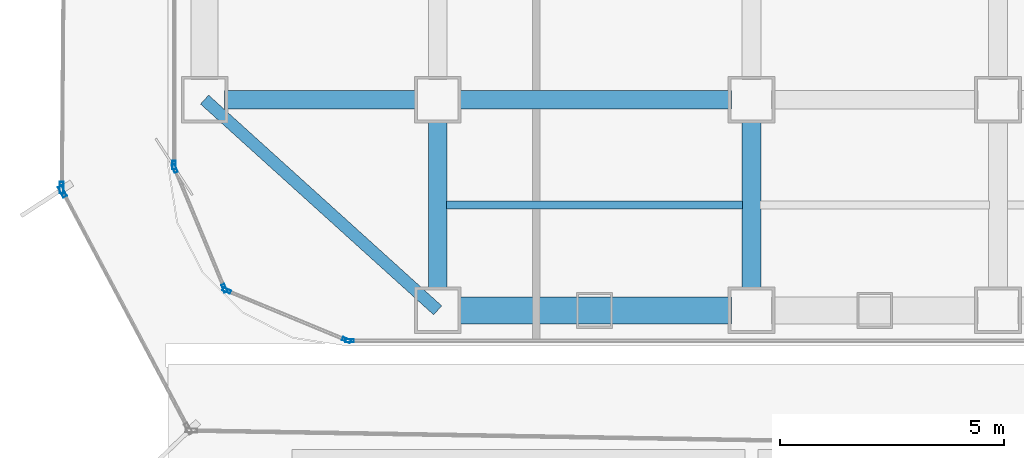
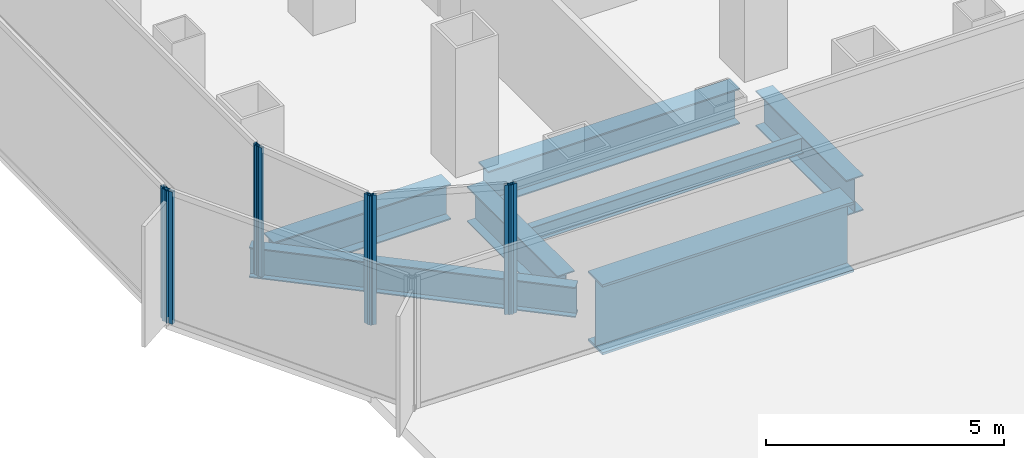
# One storey, part 3 of 27: 8 members, 7 beams, 6 elements without a shape of their own.
"""IFC4 building model written with IfcOpenShell, lengths in metres."""

from ifc_helpers import new_model, si_unit, direction, frame, origin, origin_2d, place, context, subcontext, project, spatial, hollow_rectangle, i_section, extrude, source, transform, mapped, material, layer, layer_set, material_profile, profile_set, type_object, element, aggregate, save


model = new_model("IFC4")

# Units and contexts
model_context = context("Model", 3, precision=1e-05, world=origin(), true_north=direction((0.0, 1.0)))
body_context = subcontext(model_context, "Body", "Model", "MODEL_VIEW")
ifc_project = project(units=[si_unit("LENGTHUNIT", "METRE"), si_unit("AREAUNIT", "SQUARE_METRE"), si_unit("VOLUMEUNIT", "CUBIC_METRE"), si_unit("PLANEANGLEUNIT", "RADIAN"), si_unit("MASSUNIT", "GRAM", prefix="KILO")], contexts=[model_context])

# Site, building, storey
site_placement = place(None, origin())
site = spatial("IfcSite", under=ifc_project, at=site_placement, CompositionType="ELEMENT")
building_placement = place(site_placement, origin())
building = spatial("IfcBuilding", under=site, at=building_placement, Name="Kolveth Station Tower", CompositionType="ELEMENT")
storey_placement = place(building_placement, frame((0.0, 0.0, 22.5)))
storey = spatial("IfcBuildingStorey", under=building, at=storey_placement, Name="L05", CompositionType="ELEMENT", Elevation=22.5)

# Beams
ifc_material_1 = material(Name="Steel S355", Category="steel")
ifc_material_profile_1 = material_profile(ifc_material_1, i_section(OverallWidth=0.26904296875, OverallDepth=0.77490234375, WebThickness=0.01708984375, FlangeThickness=0.0283203125, at=origin_2d()), Name="W760x220")
ifc_profile_set_1 = profile_set([ifc_material_profile_1], Name="Steel S355")
beam_type_1 = type_object("IfcBeamType", Name="Beam_SP1", PredefinedType="SPANDREL", material=ifc_profile_set_1)
shared_shape_1 = source(origin(), body_context, "Body", "SweptSolid", [
    extrude(i_section(OverallWidth=0.26904296875, OverallDepth=0.77490234375, WebThickness=0.01708984375, FlangeThickness=0.0283203125, at=origin_2d()), origin(), (0.0, 0.0, 1.0), 7.00927734375),
])
beam_1_placement = place(storey_placement, frame((0.800048828125, 5.5, -0.74755859375), z_axis=(0.741874009795, -0.670539300557, 0.0), x_axis=(0.670539300557, 0.741874009795, 0.0)))
element("IfcBeam", 1, at=beam_1_placement, inside=storey, type_object=beam_type_1, Name="L05 Corner Edge Girder BM-L05-CNR-SW", PredefinedType="SPANDREL", context=body_context, shape_type="MappedRepresentation", body=[
    mapped(shared_shape_1, transform((0.0, 0.0, 0.0), x_axis=(1.0, 0.0, 0.0), y_axis=(0.0, 1.0, 0.0), z_axis=(0.0, 0.0, 1.0), scale=1.0)),
])
ifc_material_profile_2 = material_profile(ifc_material_1, i_section(OverallWidth=0.41796875, OverallDepth=0.912109375, WebThickness=0.019287109375, FlangeThickness=0.031982421875, at=origin_2d()), Name="W920x342")
ifc_profile_set_2 = profile_set([ifc_material_profile_2], Name="Steel S355")
beam_type_2 = type_object("IfcBeamType", Name="Beam_B1", PredefinedType="BEAM", material=ifc_profile_set_2)
shared_shape_2 = source(origin(), body_context, "Body", "SweptSolid", [
    extrude(i_section(OverallWidth=0.41796875, OverallDepth=0.912109375, WebThickness=0.019287109375, FlangeThickness=0.031982421875, at=origin_2d()), origin(), (0.0, 0.0, 1.0), 4.300048828125),
])
beam_2_placement = place(storey_placement, frame((1.25, 5.5, -0.81591796875), z_axis=(1.0, 0.0, 0.0), x_axis=(0.0, 1.0, 0.0)))
element("IfcBeam", 2, at=beam_2_placement, inside=storey, type_object=beam_type_2, Name="L05 Primary Girder BM-L05-GY55-1", PredefinedType="BEAM", context=body_context, shape_type="MappedRepresentation", body=[
    mapped(shared_shape_2, transform((0.0, 0.0, 0.0), x_axis=(1.0, 0.0, 0.0), y_axis=(0.0, 1.0, 0.0), z_axis=(0.0, 0.0, 1.0), scale=1.0)),
])
shared_shape_3 = source(origin(), body_context, "Body", "SweptSolid", [
    extrude(i_section(OverallWidth=0.41796875, OverallDepth=0.912109375, WebThickness=0.019287109375, FlangeThickness=0.031982421875, at=origin_2d()), origin(), (0.0, 0.0, 1.0), 6.10009765625),
])
beam_3_placement = place(storey_placement, frame((6.449951171875, 5.5, -0.81591796875), z_axis=(1.0, 0.0, 0.0), x_axis=(0.0, 1.0, 0.0)))
element("IfcBeam", 3, at=beam_3_placement, inside=storey, type_object=beam_type_2, Name="L05 Primary Girder BM-L05-GY55-2", PredefinedType="BEAM", context=body_context, shape_type="MappedRepresentation", body=[
    mapped(shared_shape_3, transform((0.0, 0.0, 0.0), x_axis=(1.0, 0.0, 0.0), y_axis=(0.0, 1.0, 0.0), z_axis=(0.0, 0.0, 1.0), scale=1.0)),
])
shared_shape_4 = source(origin(), body_context, "Body", "SweptSolid", [
    extrude(i_section(OverallWidth=0.41796875, OverallDepth=0.912109375, WebThickness=0.019287109375, FlangeThickness=0.031982421875, at=origin_2d()), origin(), (0.0, 0.0, 1.0), 3.800048828125),
])
for number, where, z_axis, x_axis, name in (
    (4, (6.0, 1.25, -0.81591796875), (0.0, 1.0, 0.0), (-1.0, 0.0, 0.0), "L05 Primary Girder BM-L05-GX60-1"),
    (5, (13.0, 1.25, -0.81591796875), (0.0, 1.0, 0.0), (-1.0, 0.0, 0.0), "L05 Primary Girder BM-L05-GX130-1"),
):
    element("IfcBeam", number, at=place(storey_placement, frame(where, z_axis=z_axis, x_axis=x_axis)), inside=storey, type_object=beam_type_2, Name=name, PredefinedType="BEAM", context=body_context, shape_type="MappedRepresentation", body=[
        mapped(shared_shape_4, transform((0.0, 0.0, 0.0), x_axis=(1.0, 0.0, 0.0), y_axis=(0.0, 1.0, 0.0), z_axis=(0.0, 0.0, 1.0), scale=1.0)),
    ])
ifc_material_profile_3 = material_profile(ifc_material_1, i_section(OverallWidth=0.177978515625, OverallDepth=0.406982421875, WebThickness=0.0078125, FlangeThickness=0.0126953125, at=origin_2d()), Name="W410x60")
ifc_profile_set_3 = profile_set([ifc_material_profile_3], Name="Steel S355")
beam_type_3 = type_object("IfcBeamType", Name="Beam_J1", PredefinedType="JOIST", material=ifc_profile_set_3)
shared_shape_5 = source(origin(), body_context, "Body", "SweptSolid", [
    extrude(i_section(OverallWidth=0.177978515625, OverallDepth=0.406982421875, WebThickness=0.0078125, FlangeThickness=0.0126953125, at=origin_2d()), origin(), (0.0, 0.0, 1.0), 6.60986328125),
])
beam_4_placement = place(storey_placement, frame((6.195068359375, 3.14990234375, -0.5634765625), z_axis=(1.0, 0.0, 0.0), x_axis=(0.0, 1.0, 0.0)))
element("IfcBeam", 6, at=beam_4_placement, inside=storey, type_object=beam_type_3, Name="L05 Secondary Joist JST-L05-2-1", PredefinedType="JOIST", context=body_context, shape_type="MappedRepresentation", body=[
    mapped(shared_shape_5, transform((0.0, 0.0, 0.0), x_axis=(1.0, 0.0, 0.0), y_axis=(0.0, 1.0, 0.0), z_axis=(0.0, 0.0, 1.0), scale=1.0)),
])
ifc_material_2 = material(Name="Steel S460", Category="steel")
ifc_material_profile_4 = material_profile(ifc_material_2, i_section(OverallWidth=0.60009765625, OverallDepth=1.800048828125, WebThickness=0.031982421875, FlangeThickness=0.06005859375, at=origin_2d()), Name="PG1800x600x60")
ifc_profile_set_4 = profile_set([ifc_material_profile_4], Name="Steel S460")
beam_type_4 = type_object("IfcBeamType", Name="Beam_TG2", PredefinedType="BEAM", material=ifc_profile_set_4)
shared_shape_6 = source(origin(), body_context, "Body", "SweptSolid", [
    extrude(i_section(OverallWidth=0.60009765625, OverallDepth=1.800048828125, WebThickness=0.031982421875, FlangeThickness=0.06005859375, at=origin_2d()), origin(), (0.0, 0.0, 1.0), 6.10009765625),
])
beam_5_placement = place(storey_placement, frame((6.449951171875, 0.800048828125, -1.260009765625), z_axis=(1.0, 0.0, 0.0), x_axis=(0.0, 1.0, 0.0)))
element("IfcBeam", 7, at=beam_5_placement, inside=storey, type_object=beam_type_4, Name="L05 Transfer Girder BM-L05-PS-1", PredefinedType="BEAM", context=body_context, shape_type="MappedRepresentation", body=[
    mapped(shared_shape_6, transform((0.0, 0.0, 0.0), x_axis=(1.0, 0.0, 0.0), y_axis=(0.0, 1.0, 0.0), z_axis=(0.0, 0.0, 1.0), scale=1.0)),
])

# Curtain wall, member
ifc_material_3 = material(Name="Aluminium 6063-T6 and low-E dark glass", Category="aluminium")
ifc_layer_1 = layer(ifc_material_3, 0.179931640625)
ifc_layer_set_1 = layer_set([ifc_layer_1], Name="Aluminium 6063-T6 and low-E dark glass")
curtain_wall_type_1 = type_object("IfcCurtainWallType", Name="CurtainWall_CW-Z1", PredefinedType="NOTDEFINED", material=ifc_layer_set_1)
curtain_wall_1_placement = place(storey_placement, origin())
curtain_wall_1 = element("IfcCurtainWall", 8, at=curtain_wall_1_placement, inside=storey, type_object=curtain_wall_type_1, Name="L05 Inner Thermal Curtain Wall 9", PredefinedType="NOTDEFINED")
ifc_material_4 = material(Name="Black anodized aluminium 6063-T6", Category="aluminium")
ifc_material_profile_5 = material_profile(ifc_material_4, hollow_rectangle(XDim=0.074951171875, YDim=0.18994140625, WallThickness=0.0048828125, at=origin_2d()), Name="ALU-75x190x5")
ifc_profile_set_5 = profile_set([ifc_material_profile_5], Name="Black anodized aluminium 6063-T6")
member_type_1 = type_object("IfcMemberType", Name="Mullion_ML1", PredefinedType="MULLION", material=ifc_profile_set_5)
shared_shape_7 = source(origin(), body_context, "Body", "SweptSolid", [
    extrude(hollow_rectangle(XDim=0.074951171875, YDim=0.18994140625, WallThickness=0.0048828125, at=origin_2d()), origin(), (0.0, 0.0, 1.0), 3.320068359375),
])
member_1_placement = place(storey_placement, frame((0.1201171875, 4.03759765625, 0.0), z_axis=(0.0, 0.0, 1.0), x_axis=(1.0, 0.0, 0.0)))
member_1 = element("IfcMember", 9, at=member_1_placement, type_object=member_type_1, Name="CW-Z1 mullion 2", PredefinedType="MULLION", context=body_context, shape_type="MappedRepresentation", body=[
    mapped(shared_shape_7, transform((0.0, 0.0, 0.0), x_axis=(1.0, 0.0, 0.0), y_axis=(0.0, 1.0, 0.0), z_axis=(0.0, 0.0, 1.0), scale=1.0)),
])
aggregate(curtain_wall_1, [member_1])

# Curtain wall, members
curtain_wall_2_placement = place(storey_placement, origin())
curtain_wall_2 = element("IfcCurtainWall", 10, at=curtain_wall_2_placement, inside=storey, type_object=curtain_wall_type_1, Name="L05 Inner Thermal Curtain Wall 10", PredefinedType="NOTDEFINED")
member_2_placement = place(storey_placement, frame((0.13427734375, 3.96533203125, 0.0), z_axis=(0.0, 0.0, 1.0), x_axis=(0.923883857728, 0.382672990201, 0.0)))
member_2 = element("IfcMember", 11, at=member_2_placement, type_object=member_type_1, Name="CW-Z1 mullion 1", PredefinedType="MULLION", context=body_context, shape_type="MappedRepresentation", body=[
    mapped(shared_shape_7, transform((0.0, 0.0, 0.0), x_axis=(1.0, 0.0, 0.0), y_axis=(0.0, 1.0, 0.0), z_axis=(0.0, 0.0, 1.0), scale=1.0)),
])
member_3_placement = place(storey_placement, frame((1.241943359375, 1.291015625, 0.0), z_axis=(0.0, 0.0, 1.0), x_axis=(0.923883857728, 0.382672990201, 0.0)))
member_3 = element("IfcMember", 12, at=member_3_placement, type_object=member_type_1, Name="CW-Z1 mullion 2", PredefinedType="MULLION", context=body_context, shape_type="MappedRepresentation", body=[
    mapped(shared_shape_7, transform((0.0, 0.0, 0.0), x_axis=(1.0, 0.0, 0.0), y_axis=(0.0, 1.0, 0.0), z_axis=(0.0, 0.0, 1.0), scale=1.0)),
])
aggregate(curtain_wall_2, [member_2, member_3])

curtain_wall_3_placement = place(storey_placement, origin())
curtain_wall_3 = element("IfcCurtainWall", 13, at=curtain_wall_3_placement, inside=storey, type_object=curtain_wall_type_1, Name="L05 Inner Thermal Curtain Wall 11", PredefinedType="NOTDEFINED")
member_4_placement = place(storey_placement, frame((1.291015625, 1.241943359375, 0.0), z_axis=(0.0, 0.0, 1.0), x_axis=(0.382672990201, 0.923883857728, 0.0)))
member_4 = element("IfcMember", 14, at=member_4_placement, type_object=member_type_1, Name="CW-Z1 mullion 1", PredefinedType="MULLION", context=body_context, shape_type="MappedRepresentation", body=[
    mapped(shared_shape_7, transform((0.0, 0.0, 0.0), x_axis=(1.0, 0.0, 0.0), y_axis=(0.0, 1.0, 0.0), z_axis=(0.0, 0.0, 1.0), scale=1.0)),
])
member_5_placement = place(storey_placement, frame((3.96533203125, 0.13427734375, 0.0), z_axis=(0.0, 0.0, 1.0), x_axis=(0.382672990201, 0.923883857728, 0.0)))
member_5 = element("IfcMember", 15, at=member_5_placement, type_object=member_type_1, Name="CW-Z1 mullion 2", PredefinedType="MULLION", context=body_context, shape_type="MappedRepresentation", body=[
    mapped(shared_shape_7, transform((0.0, 0.0, 0.0), x_axis=(1.0, 0.0, 0.0), y_axis=(0.0, 1.0, 0.0), z_axis=(0.0, 0.0, 1.0), scale=1.0)),
])
aggregate(curtain_wall_3, [member_4, member_5])

# Curtain wall, member
curtain_wall_4_placement = place(storey_placement, origin())
curtain_wall_4 = element("IfcCurtainWall", 16, at=curtain_wall_4_placement, inside=storey, type_object=curtain_wall_type_1, Name="L05 Inner Thermal Curtain Wall 12", PredefinedType="NOTDEFINED")
member_6_placement = place(storey_placement, frame((4.03759765625, 0.1201171875, 0.0), z_axis=(0.0, 0.0, 1.0), x_axis=(0.0, 1.0, 0.0)))
member_6 = element("IfcMember", 17, at=member_6_placement, type_object=member_type_1, Name="CW-Z1 mullion 1", PredefinedType="MULLION", context=body_context, shape_type="MappedRepresentation", body=[
    mapped(shared_shape_7, transform((0.0, 0.0, 0.0), x_axis=(1.0, 0.0, 0.0), y_axis=(0.0, 1.0, 0.0), z_axis=(0.0, 0.0, 1.0), scale=1.0)),
])
aggregate(curtain_wall_4, [member_6])

ifc_material_5 = material(Name="Black anodized aluminium 6063-T6 and dark solar glass", Category="aluminium")
ifc_layer_2 = layer(ifc_material_5, 0.159912109375)
ifc_layer_set_2 = layer_set([ifc_layer_2], Name="Black anodized aluminium 6063-T6 and dark solar glass")
curtain_wall_type_2 = type_object("IfcCurtainWallType", Name="OUTER SKIN CW-OS", PredefinedType="NOTDEFINED", material=ifc_layer_set_2)
curtain_wall_5_placement = place(storey_placement, origin())
curtain_wall_5 = element("IfcCurtainWall", 18, at=curtain_wall_5_placement, inside=storey, type_object=curtain_wall_type_2, Name="L05 Outer Ventilated Skin Curtain Wall 6", PredefinedType="NOTDEFINED")
ifc_material_profile_6 = material_profile(ifc_material_4, hollow_rectangle(XDim=0.090087890625, YDim=0.260009765625, WallThickness=0.0048828125, at=origin_2d()), Name="ALU-90x260x5")
ifc_profile_set_6 = profile_set([ifc_material_profile_6], Name="Black anodized aluminium 6063-T6")
member_type_2 = type_object("IfcMemberType", Name="FIN MULLION ML-OS", PredefinedType="MULLION", material=ifc_profile_set_6)
shared_shape_8 = source(origin(), body_context, "Body", "SweptSolid", [
    extrude(hollow_rectangle(XDim=0.090087890625, YDim=0.260009765625, WallThickness=0.0048828125, at=origin_2d()), origin(), (0.0, 0.0, 1.0), 3.389892578125),
])
member_7_placement = place(storey_placement, frame((-2.3896484375, 3.53564453125, 0.0), z_axis=(0.0, 0.0, 1.0), x_axis=(0.999966107757, -0.008233063669, 0.0)))
member_7 = element("IfcMember", 19, at=member_7_placement, type_object=member_type_2, Name="CW-OS mullion 2", PredefinedType="MULLION", context=body_context, shape_type="MappedRepresentation", body=[
    mapped(shared_shape_8, transform((0.0, 0.0, 0.0), x_axis=(1.0, 0.0, 0.0), y_axis=(0.0, 1.0, 0.0), z_axis=(0.0, 0.0, 1.0), scale=1.0)),
])
aggregate(curtain_wall_5, [member_7])

curtain_wall_6_placement = place(storey_placement, origin())
curtain_wall_6 = element("IfcCurtainWall", 20, at=curtain_wall_6_placement, inside=storey, type_object=curtain_wall_type_2, Name="L05 Outer Ventilated Skin Curtain Wall 7", PredefinedType="NOTDEFINED")
member_8_placement = place(storey_placement, frame((-2.368896484375, 3.450927734375, 0.0), z_axis=(0.0, 0.0, 1.0), x_axis=(0.883337486878, 0.468737543063, 0.0)))
member_8 = element("IfcMember", 21, at=member_8_placement, type_object=member_type_2, Name="CW-OS mullion 1", PredefinedType="MULLION", context=body_context, shape_type="MappedRepresentation", body=[
    mapped(shared_shape_8, transform((0.0, 0.0, 0.0), x_axis=(1.0, 0.0, 0.0), y_axis=(0.0, 1.0, 0.0), z_axis=(0.0, 0.0, 1.0), scale=1.0)),
])
aggregate(curtain_wall_6, [member_8])

save(model, "model.ifc")
